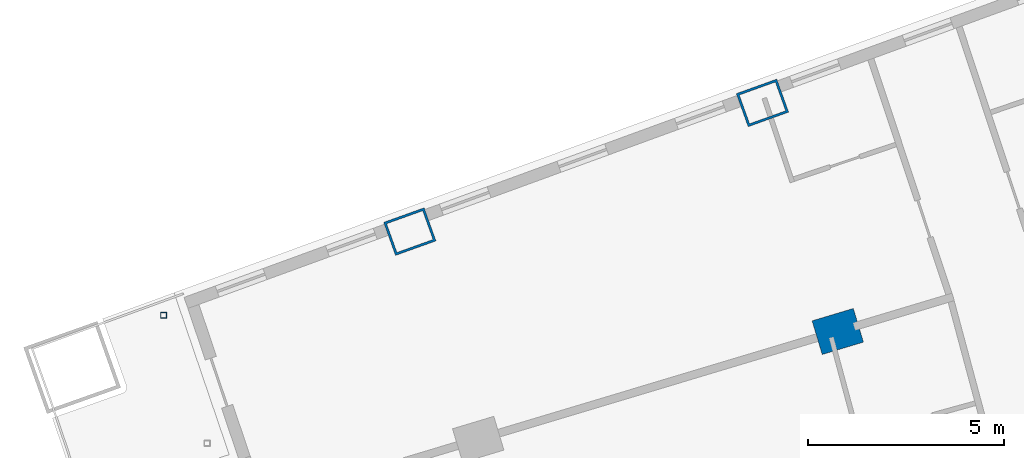
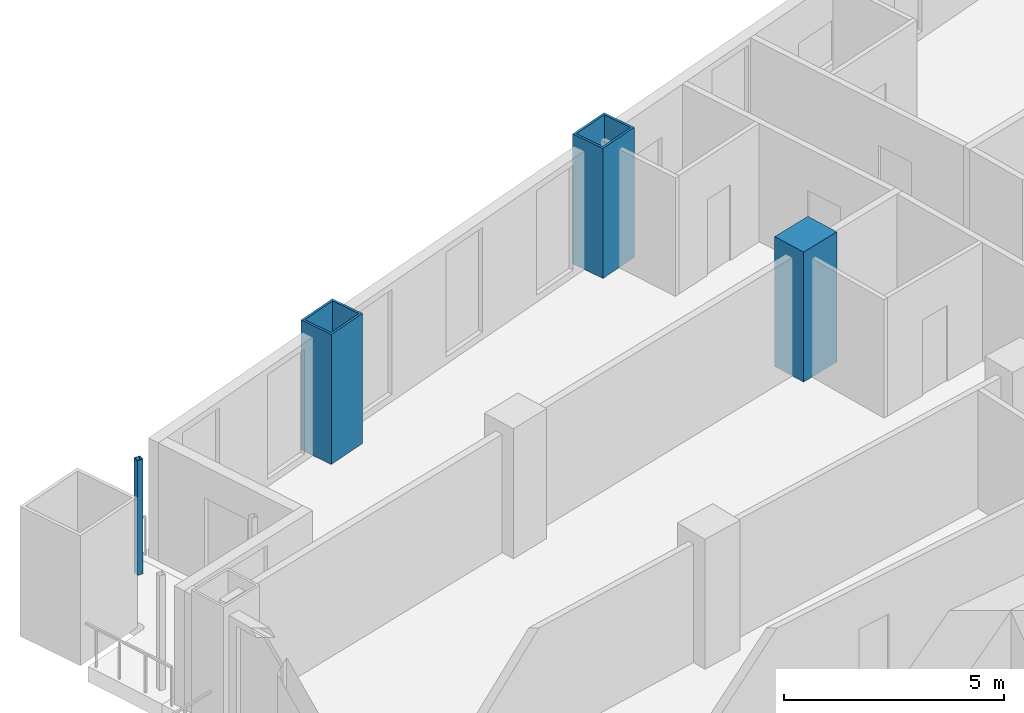
# One storey, part 9 of 25: 4 columns.
"""IFC4 building model written with IfcOpenShell, lengths in metres."""

from ifc_helpers import new_model, si_unit, direction, frame, origin, origin_2d, place, context, subcontext, project, spatial, rectangle, hollow_rectangle, extrude, material, material_profile, profile_set, type_object, element, save


model = new_model("IFC4")

# Units and contexts
model_context = context("Model", 3, precision=1e-05, world=origin(), true_north=direction((0.0, 1.0)))
body_context = subcontext(model_context, "Body", "Model", "MODEL_VIEW")
ifc_project = project(units=[si_unit("LENGTHUNIT", "METRE"), si_unit("AREAUNIT", "SQUARE_METRE"), si_unit("VOLUMEUNIT", "CUBIC_METRE"), si_unit("PLANEANGLEUNIT", "RADIAN"), si_unit("MASSUNIT", "GRAM", prefix="KILO")], contexts=[model_context])

# Site, building, storey
site_placement = place(None, origin())
site = spatial("IfcSite", under=ifc_project, at=site_placement, CompositionType="ELEMENT")
building_placement = place(site_placement, origin())
building = spatial("IfcBuilding", under=site, at=building_placement, Name="Alderwake Tower", CompositionType="ELEMENT")
storey_placement = place(building_placement, frame((0.0, 0.0, 35.60009765625)))
storey = spatial("IfcBuildingStorey", under=building, at=storey_placement, Name="L07", CompositionType="ELEMENT", Elevation=35.60009765625)

# Columns
ifc_material_1 = material(Name="Steel ASTM A572 Grade 50 concrete filled C70/85", Category="concrete")
ifc_material_profile_1 = material_profile(ifc_material_1, hollow_rectangle(XDim=0.89990234375, YDim=1.10009765625, WallThickness=0.06005859375, at=origin_2d()), Name="BOX 1100X900X60")
ifc_profile_set_1 = profile_set([ifc_material_profile_1], Name="Steel ASTM A572 Grade 50 concrete filled C70/85")
column_type_1 = type_object("IfcColumnType", Name="End column Z1", PredefinedType="COLUMN", material=ifc_profile_set_1)
for number, where, z_axis, x_axis, name in (
    (1, (19.965576171875, 96.8515625, 0.0), (0.0, 0.0, 1.0), (-0.337584879279, 0.9412950915, 0.0), "Column R13-C1"),
    (2, (28.983642578125, 100.143310546875, 0.0), (0.0, 0.0, 1.0), (-0.338026774049, 0.941136493834, 0.0), "Column R13-C2"),
):
    element("IfcColumn", number, at=place(storey_placement, frame(where, z_axis=z_axis, x_axis=x_axis)), inside=storey, type_object=column_type_1, Name=name, PredefinedType="COLUMN", context=body_context, shape_type="SweptSolid", body=[
        extrude(hollow_rectangle(XDim=0.89990234375, YDim=1.10009765625, WallThickness=0.06005859375, at=origin_2d()), origin(), (0.0, 0.0, 1.0), 3.599853515625),
    ])
ifc_material_2 = material(Name="Concrete C70/85", Category="concrete")
ifc_material_profile_2 = material_profile(ifc_material_2, rectangle(XDim=0.89990234375, YDim=1.10009765625, at=origin_2d()), Name="RC 1100X900")
ifc_profile_set_2 = profile_set([ifc_material_profile_2], Name="Concrete C70/85")
column_type_2 = type_object("IfcColumnType", Name="Interior column Z1", PredefinedType="COLUMN", material=ifc_profile_set_2)
column_1_placement = place(storey_placement, frame((30.9091796875, 94.298095703125, 0.0), z_axis=(0.0, 0.0, 1.0), x_axis=(-0.287549418125, 0.957765802342, 0.0)))
element("IfcColumn", 3, at=column_1_placement, inside=storey, type_object=column_type_2, Name="Column R12-C2", PredefinedType="COLUMN", context=body_context, shape_type="SweptSolid", body=[
    extrude(rectangle(XDim=0.89990234375, YDim=1.10009765625, at=origin_2d()), origin(), (0.0, 0.0, 1.0), 3.599853515625),
])
ifc_material_3 = material(Name="Steel ASTM A500 Grade C", Category="steel")
ifc_material_profile_3 = material_profile(ifc_material_3, hollow_rectangle(XDim=0.15234375, YDim=0.15234375, WallThickness=0.0087890625, at=origin_2d()), Name="HSS6X6X3/8")
ifc_profile_set_3 = profile_set([ifc_material_profile_3], Name="Steel ASTM A500 Grade C")
column_type_3 = type_object("IfcColumnType", Name="Light post HSS6X6X3/8", PredefinedType="COLUMN", material=ifc_profile_set_3)
column_2_placement = place(storey_placement, frame((13.66796875, 94.71240234375, 0.0), z_axis=(0.0, 0.0, 1.0), x_axis=(1.0, 0.0, 0.0)))
element("IfcColumn", 4, at=column_2_placement, inside=storey, type_object=column_type_3, Name="Terrace post RN2", PredefinedType="COLUMN", context=body_context, shape_type="SweptSolid", body=[
    extrude(hollow_rectangle(XDim=0.15234375, YDim=0.15234375, WallThickness=0.0087890625, at=origin_2d()), origin(), (0.0, 0.0, 1.0), 3.179931640625),
])

save(model, "model.ifc")
